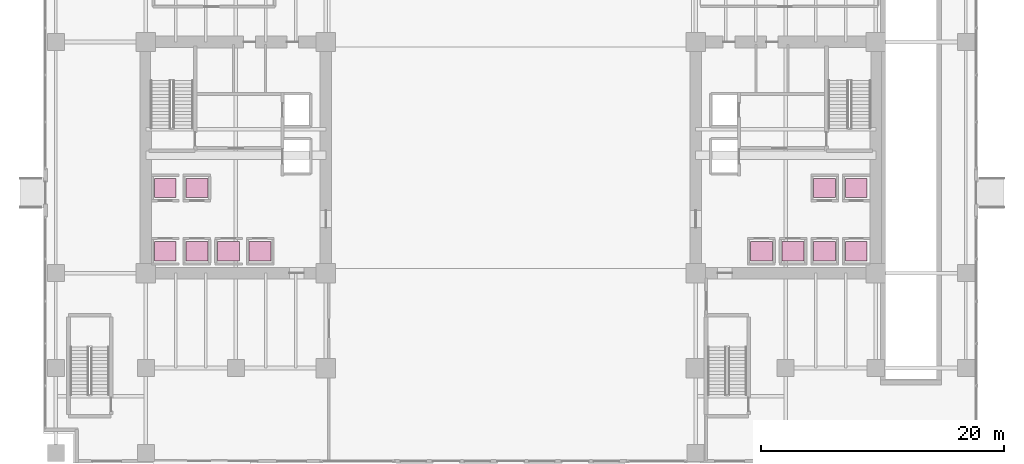
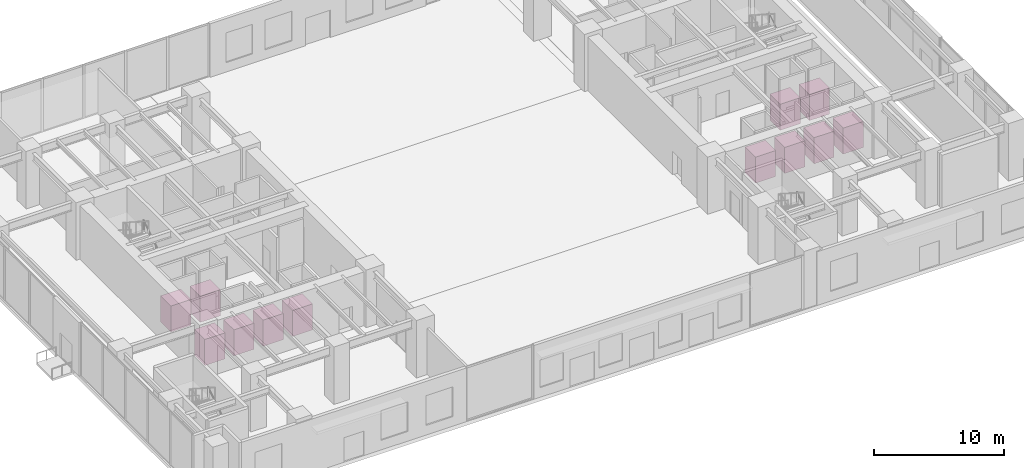
# One storey, part 28 of 28: 12 transport elements.
"""IFC4 building model written with IfcOpenShell, lengths in metres."""

import ifcopenshell
import ifcopenshell.guid

model = None  # the IFC model being written
_history = None  # IfcOwnerHistory: only IFC2X3 demands one
_inside = {}  # id of a spatial element -> (the spatial element, [elements in it])
_under = {}  # id of a project, library or spatial element -> (it, [spatial elements below it])
_declared = {}  # id of a project -> (the project, [libraries it declares])
_typed = {}  # id of a type object -> (the type object, [elements of that type])
_made_of = {}  # id of a material, layer set ... -> (it, [elements and type objects made of it])


def new_model(schema):
    """Start an empty IFC model of exactly this schema.

    Asked for "IFC4X3", IfcOpenShell would pick the latest addendum, in which some entities
    have other attributes; the version numbers below select the first issue.
    IFC2X3 requires an IfcOwnerHistory on every rooted entity: one is made here for all.
    """
    global model, _history
    if schema == "IFC4X3":
        model = ifcopenshell.file(schema_version=(4, 3, 0, 0))
    else:
        model = ifcopenshell.file(schema=schema)
    _inside.clear()
    _under.clear()
    _declared.clear()
    _typed.clear()
    _made_of.clear()
    _history = None
    if model.schema == "IFC2X3":
        org = make("IfcOrganization", Name="unknown")
        user = make(
            "IfcPersonAndOrganization",
            ThePerson=make("IfcPerson", FamilyName="unknown"),
            TheOrganization=org,
        )
        app = make(
            "IfcApplication",
            ApplicationDeveloper=org,
            Version="unknown",
            ApplicationFullName="unknown",
            ApplicationIdentifier="unknown",
        )
        _history = make(
            "IfcOwnerHistory",
            OwningUser=user,
            OwningApplication=app,
            ChangeAction="ADDED",
            CreationDate=0,
        )
    return model


def make(cls, **values):
    """One entity of the class cls with the attributes given. An attribute that is None is left unset."""
    return model.create_entity(
        cls, **{name: value for name, value in values.items() if value is not None}
    )


def rooted(cls, **values):
    """An entity with a GlobalId (a new one), such as an element, a storey or a relation."""
    return make(cls, GlobalId=ifcopenshell.guid.new(), OwnerHistory=_history, **values)


def si_unit(unit_type, name, prefix=None):
    """IfcSIUnit, for example si_unit("LENGTHUNIT", "METRE", prefix="MILLI")."""
    return make("IfcSIUnit", UnitType=unit_type, Prefix=prefix, Name=name)


def assignment(units):
    """IfcUnitAssignment: the units of a project."""
    return None if units is None else make("IfcUnitAssignment", Units=units)


def point(xyz):
    """IfcCartesianPoint."""
    return None if xyz is None else make("IfcCartesianPoint", Coordinates=xyz)


def direction(xyz):
    """IfcDirection."""
    return None if xyz is None else make("IfcDirection", DirectionRatios=xyz)


def frame(location, z_axis=None, x_axis=None):
    """IfcAxis2Placement3D, a coordinate frame: its origin and axes. An axis left out is left unset."""
    return make(
        "IfcAxis2Placement3D",
        Location=point(location),
        Axis=direction(z_axis),
        RefDirection=direction(x_axis),
    )


def frame_2d(location, x_axis=None):
    """IfcAxis2Placement2D, a coordinate frame in the plane: its origin and x axis."""
    return make(
        "IfcAxis2Placement2D", Location=point(location), RefDirection=direction(x_axis)
    )


def origin():
    """The frame at (0, 0, 0) with its axes left unset."""
    return frame((0.0, 0.0, 0.0))


def origin_2d():
    """The frame at (0, 0) in the plane with its x axis left unset."""
    return frame_2d((0.0, 0.0))


def place(relative_to, where):
    """IfcLocalPlacement: puts the frame where relative to a parent placement (None: the world)."""
    return make(
        "IfcLocalPlacement", PlacementRelTo=relative_to, RelativePlacement=where
    )


def context(
    kind, dimensions, precision=None, world=None, true_north=None, identifier=None
):
    """IfcGeometricRepresentationContext, for example the 3D "Model" context."""
    return make(
        "IfcGeometricRepresentationContext",
        ContextIdentifier=identifier,
        ContextType=kind,
        CoordinateSpaceDimension=dimensions,
        Precision=precision,
        WorldCoordinateSystem=world,
        TrueNorth=true_north,
    )


def subcontext(parent, identifier, kind, view, scale=None):
    """IfcGeometricRepresentationSubContext, for example "Body" below "Model"."""
    return make(
        "IfcGeometricRepresentationSubContext",
        ContextIdentifier=identifier,
        ContextType=kind,
        ParentContext=parent,
        TargetScale=scale,
        TargetView=view,
    )


def project(units=None, contexts=None):
    """IfcProject with its units and contexts."""
    return rooted(
        "IfcProject",
        Name="project",
        RepresentationContexts=contexts,
        UnitsInContext=assignment(units),
    )


def spatial(cls, under=None, at=None, **own):
    """A site, building, storey or space (cls), placed at a placement, below another one or the project."""
    s = rooted(cls, ObjectPlacement=at, **own)
    if under is not None:
        _under.setdefault(under.id(), (under, []))[1].append(s)
    return s


def profile(cls, at=None, kind="AREA", **sizes):
    """A parametric profile (cls). Its sizes go by their IFC names, for example OverallWidth=200.0."""
    return make(cls, ProfileType=kind, Position=at, **sizes)


def rectangle(**sizes):
    """IfcRectangleProfileDef."""
    return profile("IfcRectangleProfileDef", **sizes)


def extrude(swept, where, along, depth):
    """IfcExtrudedAreaSolid: the profile swept, set in the frame where, extruded along a direction by depth."""
    return make(
        "IfcExtrudedAreaSolid",
        SweptArea=swept,
        Position=where,
        ExtrudedDirection=direction(along),
        Depth=depth,
    )


def shape(context_of_items, identifier, shape_type, items):
    """IfcShapeRepresentation: the items that make up one representation, for example the "Body"."""
    return make(
        "IfcShapeRepresentation",
        ContextOfItems=context_of_items,
        RepresentationIdentifier=identifier,
        RepresentationType=shape_type,
        Items=items,
    )


def source(mapping_origin, context_of_items, identifier, shape_type, items):
    """IfcRepresentationMap: a shape defined once, which mapped items show again and again."""
    return make(
        "IfcRepresentationMap",
        MappingOrigin=mapping_origin,
        MappedRepresentation=shape(context_of_items, identifier, shape_type, items),
    )


def transform(
    local_origin,
    x_axis=None,
    y_axis=None,
    z_axis=None,
    scale=None,
    scale2=None,
    scale3=None,
    uniform=True,
):
    """IfcCartesianTransformationOperator3D, or its non-uniform kind. x_axis, y_axis, z_axis: its Axis1, 2, 3."""
    if uniform:
        return make(
            "IfcCartesianTransformationOperator3D",
            Axis1=direction(x_axis),
            Axis2=direction(y_axis),
            LocalOrigin=point(local_origin),
            Scale=scale,
            Axis3=direction(z_axis),
        )
    return make(
        "IfcCartesianTransformationOperator3DnonUniform",
        Axis1=direction(x_axis),
        Axis2=direction(y_axis),
        LocalOrigin=point(local_origin),
        Scale=scale,
        Axis3=direction(z_axis),
        Scale2=scale2,
        Scale3=scale3,
    )


def mapped(mapping_source, mapping_target):
    """IfcMappedItem: shows the shape of a source again, moved by a transform."""
    return make(
        "IfcMappedItem", MappingSource=mapping_source, MappingTarget=mapping_target
    )


def material(Name=None, Category=None):
    """IfcMaterial."""
    return make("IfcMaterial", Name=Name, Category=Category)


def made_of(thing, what):
    """Note that an element or type object is made of a material, layer set ...; save() writes the relation."""
    if what is not None:
        _made_of.setdefault(what.id(), (what, []))[1].append(thing)
    return thing


def type_object(cls, material=None, **own):
    """A type object (cls), such as IfcWallType, which elements share."""
    return made_of(rooted(cls, **own), material)


def type_shapes(of_type, sources):
    """Give a type object the sources (RepresentationMaps) that its elements show as mapped items."""
    of_type.RepresentationMaps = sources


def element(
    cls,
    number,
    at=None,
    inside=None,
    cuts=None,
    type_object=None,
    material=None,
    context=None,
    identifier="Body",
    shape_type=None,
    held_by="IfcProductDefinitionShape",
    body=None,
    shapes=None,
    **own,
):
    """One element of the class cls, such as IfcWall. Its Tag is "e" and its number.

    at: its placement. inside: the storey or other place that contains it. cuts: it is an
    opening in that element (IfcRelVoidsElement). A single representation is given by context,
    identifier, shape_type and body (its items); several are given by shapes. held_by: the class
    of the entity that holds the representations. save() writes the other relations.
    """
    e = rooted(cls, Tag="e%d" % number, ObjectPlacement=at, **own)
    if body is not None:
        shapes = [shape(context, identifier, shape_type, body)]
    if shapes is not None:
        e.Representation = make(held_by, Representations=shapes)
    if inside is not None:
        _inside.setdefault(inside.id(), (inside, []))[1].append(e)
    if cuts is not None:
        rooted(
            "IfcRelVoidsElement", RelatingBuildingElement=cuts, RelatedOpeningElement=e
        )
    if type_object is not None:
        _typed.setdefault(type_object.id(), (type_object, []))[1].append(e)
    return made_of(e, material)


def aggregate(whole, parts):
    """IfcRelAggregates: a whole, such as a stair, and the parts it consists of."""
    return rooted("IfcRelAggregates", RelatingObject=whole, RelatedObjects=parts)


def save(model, path):
    """Write the relations noted so far, then the file.

    IfcRelAggregates (storeys below a building ...), IfcRelContainedInSpatialStructure (elements
    in a storey), IfcRelDefinesByType, IfcRelAssociatesMaterial and IfcRelDeclares: one each for
    every whole, place, type object, material and project.
    """
    for whole, parts in _under.values():
        aggregate(whole, parts)
    for where, things in _inside.values():
        rooted(
            "IfcRelContainedInSpatialStructure",
            RelatedElements=things,
            RelatingStructure=where,
        )
    for kind, things in _typed.values():
        rooted("IfcRelDefinesByType", RelatedObjects=things, RelatingType=kind)
    for what, things in _made_of.values():
        rooted("IfcRelAssociatesMaterial", RelatedObjects=things, RelatingMaterial=what)
    for by, libraries in _declared.values():
        rooted("IfcRelDeclares", RelatingContext=by, RelatedDefinitions=libraries)
    model.write(path)


model = new_model("IFC4")

# Units and contexts
model_context = context("Model", 3, precision=1e-05, world=origin(), true_north=direction((0.0, 1.0)))
body_context = subcontext(model_context, "Body", "Model", "MODEL_VIEW")
ifc_project = project(units=[si_unit("LENGTHUNIT", "METRE"), si_unit("AREAUNIT", "SQUARE_METRE"), si_unit("VOLUMEUNIT", "CUBIC_METRE"), si_unit("PLANEANGLEUNIT", "RADIAN"), si_unit("MASSUNIT", "GRAM", prefix="KILO")], contexts=[model_context])

# Site, building, storey
site_placement = place(None, origin())
site = spatial("IfcSite", under=ifc_project, at=site_placement, CompositionType="ELEMENT")
building_placement = place(site_placement, origin())
building = spatial("IfcBuilding", under=site, at=building_placement, Name="Haelvirn Gate Laboratories", CompositionType="ELEMENT")
storey_placement = place(building_placement, origin())
storey = spatial("IfcBuildingStorey", under=building, at=storey_placement, Name="L01", CompositionType="ELEMENT", Elevation=0.0)

# Transport elements
ifc_material_1 = material(Name="Bronze-stainless 316L high-speed passenger lift car")
transport_element_type_1 = type_object("IfcTransportElementType", Name="LIFT-PASS-LOW", PredefinedType="ELEVATOR", material=ifc_material_1)
shared_shape_1 = source(origin(), body_context, "Body", "SweptSolid", [
    extrude(rectangle(XDim=1.800048828125, YDim=1.60009765625, at=origin_2d()), origin(), (0.0, 0.0, 1.0), 2.449951171875),
])
type_shapes(transport_element_type_1, [shared_shape_1])
for number, where, z_axis, x_axis, name in (
    (1, (9.0, 16.60009765625, 0.0), (0.0, 0.0, 1.0), (1.0, 0.0, 0.0), "Elevator Car PL1"),
    (2, (11.60009765625, 16.60009765625, 0.0), (0.0, 0.0, 1.0), (1.0, 0.0, 0.0), "Elevator Car PL2"),
    (3, (65.800048828125, 16.60009765625, 0.0), (0.0, 0.0, 1.0), (1.0, 0.0, 0.0), "Elevator Car PL3"),
    (4, (63.199951171875, 16.60009765625, 0.0), (0.0, 0.0, 1.0), (1.0, 0.0, 0.0), "Elevator Car PL4"),
):
    element("IfcTransportElement", number, at=place(storey_placement, frame(where, z_axis=z_axis, x_axis=x_axis)), inside=storey, type_object=transport_element_type_1, Name=name, PredefinedType="ELEVATOR", context=body_context, shape_type="MappedRepresentation", body=[
        mapped(shared_shape_1, transform((0.0, 0.0, 0.0), scale=1.0)),
    ])
ifc_material_2 = material(Name="Bronze-stainless 316L express mid-zone lift car")
transport_element_type_2 = type_object("IfcTransportElementType", Name="LIFT-PASS-MID", PredefinedType="ELEVATOR", material=ifc_material_2)
shared_shape_2 = source(origin(), body_context, "Body", "SweptSolid", [
    extrude(rectangle(XDim=1.800048828125, YDim=1.60009765625, at=origin_2d()), origin(), (0.0, 0.0, 1.0), 2.449951171875),
])
type_shapes(transport_element_type_2, [shared_shape_2])
for number, where, z_axis, x_axis, name in (
    (5, (14.199951171875, 16.60009765625, 0.0), (0.0, 0.0, 1.0), (1.0, 0.0, 0.0), "Elevator Car PL5"),
    (6, (16.800048828125, 16.60009765625, 0.0), (0.0, 0.0, 1.0), (1.0, 0.0, 0.0), "Elevator Car PL6"),
    (7, (60.60009765625, 16.60009765625, 0.0), (0.0, 0.0, 1.0), (1.0, 0.0, 0.0), "Elevator Car PL7"),
    (8, (58.0, 16.60009765625, 0.0), (0.0, 0.0, 1.0), (1.0, 0.0, 0.0), "Elevator Car PL8"),
):
    element("IfcTransportElement", number, at=place(storey_placement, frame(where, z_axis=z_axis, x_axis=x_axis)), inside=storey, type_object=transport_element_type_2, Name=name, PredefinedType="ELEVATOR", context=body_context, shape_type="MappedRepresentation", body=[
        mapped(shared_shape_2, transform((0.0, 0.0, 0.0), scale=1.0)),
    ])
ifc_material_3 = material(Name="Bronze-stainless 316L sky-shuttle high-zone lift car")
transport_element_type_3 = type_object("IfcTransportElementType", Name="LIFT-PASS-HIGH", PredefinedType="ELEVATOR", material=ifc_material_3)
shared_shape_3 = source(origin(), body_context, "Body", "SweptSolid", [
    extrude(rectangle(XDim=1.800048828125, YDim=1.60009765625, at=origin_2d()), origin(), (0.0, 0.0, 1.0), 2.449951171875),
])
type_shapes(transport_element_type_3, [shared_shape_3])
for number, where, z_axis, x_axis, name in (
    (9, (9.0, 21.800048828125, 0.0), (0.0, 0.0, 1.0), (1.0, 0.0, 0.0), "Elevator Car PL9"),
    (10, (11.60009765625, 21.800048828125, 0.0), (0.0, 0.0, 1.0), (1.0, 0.0, 0.0), "Elevator Car PL10"),
    (11, (65.800048828125, 21.800048828125, 0.0), (0.0, 0.0, 1.0), (1.0, 0.0, 0.0), "Elevator Car PL11"),
    (12, (63.199951171875, 21.800048828125, 0.0), (0.0, 0.0, 1.0), (1.0, 0.0, 0.0), "Elevator Car PL12"),
):
    element("IfcTransportElement", number, at=place(storey_placement, frame(where, z_axis=z_axis, x_axis=x_axis)), inside=storey, type_object=transport_element_type_3, Name=name, PredefinedType="ELEVATOR", context=body_context, shape_type="MappedRepresentation", body=[
        mapped(shared_shape_3, transform((0.0, 0.0, 0.0), scale=1.0)),
    ])

save(model, "model.ifc")
